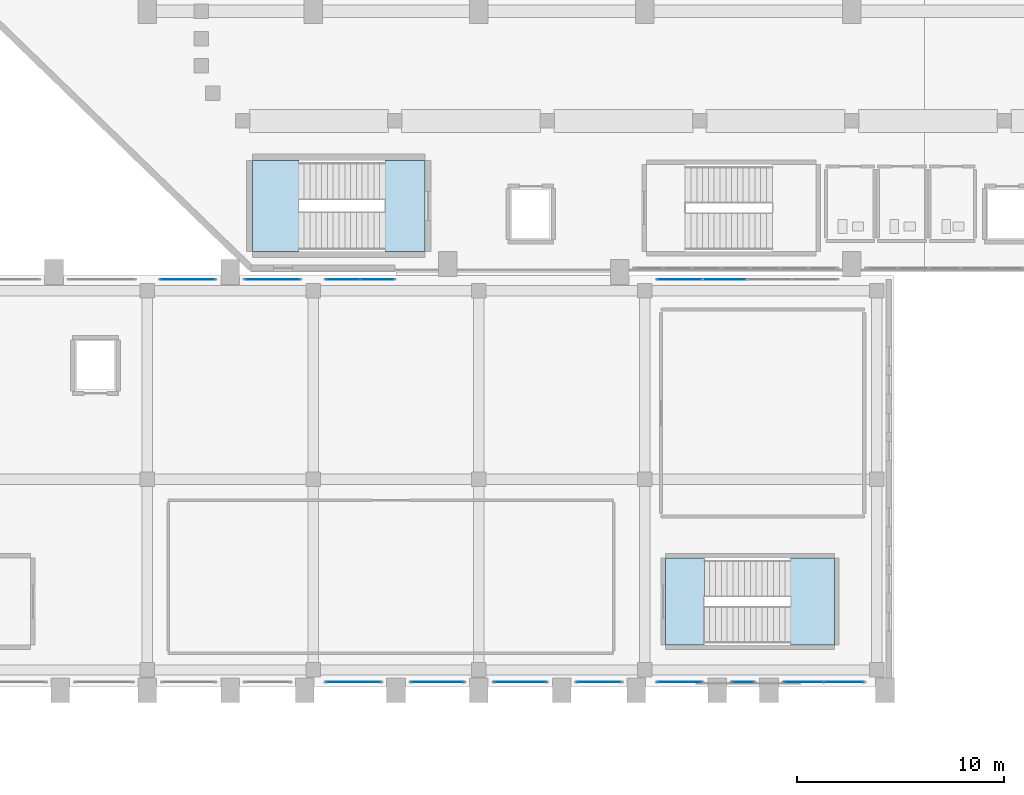
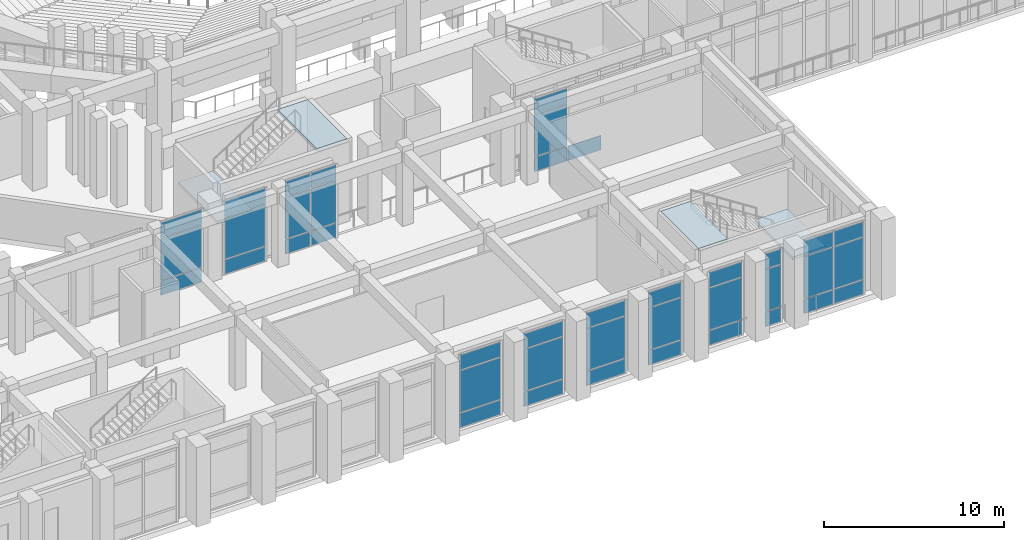
# One storey, part 85 of 159: 40 plates, 4 slabs, 13 elements without a shape of their own.
"""IFC4 building model written with IfcOpenShell, lengths in metres."""

import ifcopenshell
import ifcopenshell.guid

model = None  # the IFC model being written
_history = None  # IfcOwnerHistory: only IFC2X3 demands one
_inside = {}  # id of a spatial element -> (the spatial element, [elements in it])
_under = {}  # id of a project, library or spatial element -> (it, [spatial elements below it])
_declared = {}  # id of a project -> (the project, [libraries it declares])
_typed = {}  # id of a type object -> (the type object, [elements of that type])
_made_of = {}  # id of a material, layer set ... -> (it, [elements and type objects made of it])


def new_model(schema):
    """Start an empty IFC model of exactly this schema.

    Asked for "IFC4X3", IfcOpenShell would pick the latest addendum, in which some entities
    have other attributes; the version numbers below select the first issue.
    IFC2X3 requires an IfcOwnerHistory on every rooted entity: one is made here for all.
    """
    global model, _history
    if schema == "IFC4X3":
        model = ifcopenshell.file(schema_version=(4, 3, 0, 0))
    else:
        model = ifcopenshell.file(schema=schema)
    _inside.clear()
    _under.clear()
    _declared.clear()
    _typed.clear()
    _made_of.clear()
    _history = None
    if model.schema == "IFC2X3":
        org = make("IfcOrganization", Name="unknown")
        user = make(
            "IfcPersonAndOrganization",
            ThePerson=make("IfcPerson", FamilyName="unknown"),
            TheOrganization=org,
        )
        app = make(
            "IfcApplication",
            ApplicationDeveloper=org,
            Version="unknown",
            ApplicationFullName="unknown",
            ApplicationIdentifier="unknown",
        )
        _history = make(
            "IfcOwnerHistory",
            OwningUser=user,
            OwningApplication=app,
            ChangeAction="ADDED",
            CreationDate=0,
        )
    return model


def make(cls, **values):
    """One entity of the class cls with the attributes given. An attribute that is None is left unset."""
    return model.create_entity(
        cls, **{name: value for name, value in values.items() if value is not None}
    )


def rooted(cls, **values):
    """An entity with a GlobalId (a new one), such as an element, a storey or a relation."""
    return make(cls, GlobalId=ifcopenshell.guid.new(), OwnerHistory=_history, **values)


def si_unit(unit_type, name, prefix=None):
    """IfcSIUnit, for example si_unit("LENGTHUNIT", "METRE", prefix="MILLI")."""
    return make("IfcSIUnit", UnitType=unit_type, Prefix=prefix, Name=name)


def derived_unit(unit_type, elements):
    """IfcDerivedUnit: a product of units, each with its exponent."""
    return make(
        "IfcDerivedUnit",
        Elements=[
            make("IfcDerivedUnitElement", Unit=unit, Exponent=power)
            for unit, power in elements
        ],
        UnitType=unit_type,
    )


def assignment(units):
    """IfcUnitAssignment: the units of a project."""
    return None if units is None else make("IfcUnitAssignment", Units=units)


def point(xyz):
    """IfcCartesianPoint."""
    return None if xyz is None else make("IfcCartesianPoint", Coordinates=xyz)


def direction(xyz):
    """IfcDirection."""
    return None if xyz is None else make("IfcDirection", DirectionRatios=xyz)


def frame(location, z_axis=None, x_axis=None):
    """IfcAxis2Placement3D, a coordinate frame: its origin and axes. An axis left out is left unset."""
    return make(
        "IfcAxis2Placement3D",
        Location=point(location),
        Axis=direction(z_axis),
        RefDirection=direction(x_axis),
    )


def frame_2d(location, x_axis=None):
    """IfcAxis2Placement2D, a coordinate frame in the plane: its origin and x axis."""
    return make(
        "IfcAxis2Placement2D", Location=point(location), RefDirection=direction(x_axis)
    )


def origin():
    """The frame at (0, 0, 0) with its axes left unset."""
    return frame((0.0, 0.0, 0.0))


def origin_2d():
    """The frame at (0, 0) in the plane with its x axis left unset."""
    return frame_2d((0.0, 0.0))


def place(relative_to, where):
    """IfcLocalPlacement: puts the frame where relative to a parent placement (None: the world)."""
    return make(
        "IfcLocalPlacement", PlacementRelTo=relative_to, RelativePlacement=where
    )


def context(
    kind, dimensions, precision=None, world=None, true_north=None, identifier=None
):
    """IfcGeometricRepresentationContext, for example the 3D "Model" context."""
    return make(
        "IfcGeometricRepresentationContext",
        ContextIdentifier=identifier,
        ContextType=kind,
        CoordinateSpaceDimension=dimensions,
        Precision=precision,
        WorldCoordinateSystem=world,
        TrueNorth=true_north,
    )


def subcontext(parent, identifier, kind, view, scale=None):
    """IfcGeometricRepresentationSubContext, for example "Body" below "Model"."""
    return make(
        "IfcGeometricRepresentationSubContext",
        ContextIdentifier=identifier,
        ContextType=kind,
        ParentContext=parent,
        TargetScale=scale,
        TargetView=view,
    )


def project(units=None, contexts=None):
    """IfcProject with its units and contexts."""
    return rooted(
        "IfcProject",
        Name="project",
        RepresentationContexts=contexts,
        UnitsInContext=assignment(units),
    )


def spatial(cls, under=None, at=None, **own):
    """A site, building, storey or space (cls), placed at a placement, below another one or the project."""
    s = rooted(cls, ObjectPlacement=at, **own)
    if under is not None:
        _under.setdefault(under.id(), (under, []))[1].append(s)
    return s


def polyline(points):
    """IfcPolyline through the points."""
    return make("IfcPolyline", Points=[point(p) for p in points])


def profile(cls, at=None, kind="AREA", **sizes):
    """A parametric profile (cls). Its sizes go by their IFC names, for example OverallWidth=200.0."""
    return make(cls, ProfileType=kind, Position=at, **sizes)


def rectangle(**sizes):
    """IfcRectangleProfileDef."""
    return profile("IfcRectangleProfileDef", **sizes)


def outline(outer, holes=None, kind="AREA"):
    """IfcArbitraryClosedProfileDef: a profile drawn as a closed curve; with holes, ...WithVoids."""
    if holes is None:
        return make("IfcArbitraryClosedProfileDef", ProfileType=kind, OuterCurve=outer)
    return make(
        "IfcArbitraryProfileDefWithVoids",
        ProfileType=kind,
        OuterCurve=outer,
        InnerCurves=holes,
    )


def extrude(swept, where, along, depth):
    """IfcExtrudedAreaSolid: the profile swept, set in the frame where, extruded along a direction by depth."""
    return make(
        "IfcExtrudedAreaSolid",
        SweptArea=swept,
        Position=where,
        ExtrudedDirection=direction(along),
        Depth=depth,
    )


def shape(context_of_items, identifier, shape_type, items):
    """IfcShapeRepresentation: the items that make up one representation, for example the "Body"."""
    return make(
        "IfcShapeRepresentation",
        ContextOfItems=context_of_items,
        RepresentationIdentifier=identifier,
        RepresentationType=shape_type,
        Items=items,
    )


def material(Name=None, Category=None):
    """IfcMaterial."""
    return make("IfcMaterial", Name=Name, Category=Category)


def layer(
    of_material, thickness, ventilated=None, Name=None, Category=None, Priority=None
):
    """IfcMaterialLayer: one layer of a wall or slab, of a material (None: an air gap)."""
    return make(
        "IfcMaterialLayer",
        Material=of_material,
        LayerThickness=thickness,
        IsVentilated=ventilated,
        Name=Name,
        Category=Category,
        Priority=Priority,
    )


def layer_set(layers, Name=None):
    """IfcMaterialLayerSet."""
    return make("IfcMaterialLayerSet", MaterialLayers=layers, LayerSetName=Name)


def made_of(thing, what):
    """Note that an element or type object is made of a material, layer set ...; save() writes the relation."""
    if what is not None:
        _made_of.setdefault(what.id(), (what, []))[1].append(thing)
    return thing


def type_object(cls, material=None, **own):
    """A type object (cls), such as IfcWallType, which elements share."""
    return made_of(rooted(cls, **own), material)


def element(
    cls,
    number,
    at=None,
    inside=None,
    cuts=None,
    type_object=None,
    material=None,
    context=None,
    identifier="Body",
    shape_type=None,
    held_by="IfcProductDefinitionShape",
    body=None,
    shapes=None,
    **own,
):
    """One element of the class cls, such as IfcWall. Its Tag is "e" and its number.

    at: its placement. inside: the storey or other place that contains it. cuts: it is an
    opening in that element (IfcRelVoidsElement). A single representation is given by context,
    identifier, shape_type and body (its items); several are given by shapes. held_by: the class
    of the entity that holds the representations. save() writes the other relations.
    """
    e = rooted(cls, Tag="e%d" % number, ObjectPlacement=at, **own)
    if body is not None:
        shapes = [shape(context, identifier, shape_type, body)]
    if shapes is not None:
        e.Representation = make(held_by, Representations=shapes)
    if inside is not None:
        _inside.setdefault(inside.id(), (inside, []))[1].append(e)
    if cuts is not None:
        rooted(
            "IfcRelVoidsElement", RelatingBuildingElement=cuts, RelatedOpeningElement=e
        )
    if type_object is not None:
        _typed.setdefault(type_object.id(), (type_object, []))[1].append(e)
    return made_of(e, material)


def aggregate(whole, parts):
    """IfcRelAggregates: a whole, such as a stair, and the parts it consists of."""
    return rooted("IfcRelAggregates", RelatingObject=whole, RelatedObjects=parts)


def save(model, path):
    """Write the relations noted so far, then the file.

    IfcRelAggregates (storeys below a building ...), IfcRelContainedInSpatialStructure (elements
    in a storey), IfcRelDefinesByType, IfcRelAssociatesMaterial and IfcRelDeclares: one each for
    every whole, place, type object, material and project.
    """
    for whole, parts in _under.values():
        aggregate(whole, parts)
    for where, things in _inside.values():
        rooted(
            "IfcRelContainedInSpatialStructure",
            RelatedElements=things,
            RelatingStructure=where,
        )
    for kind, things in _typed.values():
        rooted("IfcRelDefinesByType", RelatedObjects=things, RelatingType=kind)
    for what, things in _made_of.values():
        rooted("IfcRelAssociatesMaterial", RelatedObjects=things, RelatingMaterial=what)
    for by, libraries in _declared.values():
        rooted("IfcRelDeclares", RelatingContext=by, RelatedDefinitions=libraries)
    model.write(path)


model = new_model("IFC4")

# Units and contexts
model_context = context("Model", 3, precision=1e-05, world=origin(), true_north=direction((0.0, 1.0)))
body_context = subcontext(model_context, "Body", "Model", "MODEL_VIEW")
ifc_project = project(units=[si_unit("LENGTHUNIT", "METRE"), si_unit("AREAUNIT", "SQUARE_METRE"), si_unit("VOLUMEUNIT", "CUBIC_METRE"), si_unit("PLANEANGLEUNIT", "RADIAN"), si_unit("MASSUNIT", "GRAM", prefix="KILO"), derived_unit("THERMALTRANSMITTANCEUNIT", [(si_unit("MASSUNIT", "GRAM", prefix="KILO"), 1), (si_unit("TIMEUNIT", "SECOND"), -3), (si_unit("THERMODYNAMICTEMPERATUREUNIT", "KELVIN"), -1)])], contexts=[model_context])

# Site, building, storey
site_placement = place(None, origin())
site = spatial("IfcSite", under=ifc_project, at=site_placement, CompositionType="ELEMENT")
building_placement = place(site_placement, origin())
building = spatial("IfcBuilding", under=site, at=building_placement, Name="Valcora Ridge Arena", CompositionType="ELEMENT")
storey_placement = place(building_placement, frame((0.0, 0.0, 6.0)))
storey = spatial("IfcBuildingStorey", under=building, at=storey_placement, Name="L01", CompositionType="ELEMENT", Elevation=6.0)

# Stair, slabs
ifc_material_1 = material(Name="Concrete C40/50", Category="concrete")
stair_type_1 = type_object("IfcStairType", Name="TY-STAIR-ES06-54", PredefinedType="HALF_TURN_STAIR", material=ifc_material_1)
stair_1_placement = place(storey_placement, origin())
stair_1 = element("IfcStair", 1, at=stair_1_placement, inside=storey, type_object=stair_type_1, Name="ES06-54 STR-ES-0022", PredefinedType="HALF_TURN_STAIR")
ifc_layer_1 = layer(ifc_material_1, 0.199951171875, Name="Concrete C40/50")
ifc_layer_set_1 = layer_set([ifc_layer_1], Name="Concrete C40/50")
slab_type_1 = type_object("IfcSlabType", Name="TY-LAND-ES06-54", PredefinedType="LANDING", material=ifc_layer_set_1)
slab_1_placement = place(storey_placement, frame((0.0, 0.0, 2.5)))
slab_1 = element("IfcSlab", 2, at=slab_1_placement, type_object=slab_type_1, Name="ES06-54 landing 1", PredefinedType="LANDING", context=body_context, shape_type="SweptSolid", body=[
    extrude(outline(polyline([(55.0400390625, 2.001953125), (57.157958984375, 2.001953125), (57.157958984375, 6.197998046875), (55.0400390625, 6.197998046875), (55.0400390625, 2.001953125)])), origin(), (0.0, 0.0, 1.0), 0.199951171875),
])
slab_2_placement = place(storey_placement, frame((0.0, 0.0, 5.199951171875)))
slab_2 = element("IfcSlab", 3, at=slab_2_placement, type_object=slab_type_1, Name="ES06-54 landing 2", PredefinedType="LANDING", context=body_context, shape_type="SweptSolid", body=[
    extrude(outline(polyline([(49.001953125, 2.001953125), (50.8798828125, 2.001953125), (50.8798828125, 6.197998046875), (49.001953125, 6.197998046875), (49.001953125, 2.001953125)])), origin(), (0.0, 0.0, 1.0), 0.199951171875),
])
aggregate(stair_1, [slab_1, slab_2])

stair_type_2 = type_object("IfcStairType", Name="TY-STAIR-ST01-54", PredefinedType="HALF_TURN_STAIR", material=ifc_material_1)
stair_2_placement = place(storey_placement, origin())
stair_2 = element("IfcStair", 4, at=stair_2_placement, inside=storey, type_object=stair_type_2, Name="ST01-54 STR-CR-0003", PredefinedType="HALF_TURN_STAIR")
ifc_layer_2 = layer(ifc_material_1, 0.199951171875, Name="Concrete C40/50")
ifc_layer_set_2 = layer_set([ifc_layer_2], Name="Concrete C40/50")
slab_type_2 = type_object("IfcSlabType", Name="TY-LAND-ST01-54", PredefinedType="LANDING", material=ifc_layer_set_2)
slab_3_placement = place(storey_placement, frame((0.0, 0.0, 2.5)))
slab_3 = element("IfcSlab", 5, at=slab_3_placement, type_object=slab_type_2, Name="ST01-54 landing 1", PredefinedType="LANDING", context=body_context, shape_type="SweptSolid", body=[
    extrude(outline(polyline([(29.08203125, 21.001953125), (31.31005859375, 21.001953125), (31.31005859375, 25.39794921875), (29.08203125, 25.39794921875), (29.08203125, 21.001953125)])), origin(), (0.0, 0.0, 1.0), 0.199951171875),
])
slab_4_placement = place(storey_placement, frame((0.0, 0.0, 5.199951171875)))
slab_4 = element("IfcSlab", 6, at=slab_4_placement, type_object=slab_type_2, Name="ST01-54 landing 2", PredefinedType="LANDING", context=body_context, shape_type="SweptSolid", body=[
    extrude(outline(polyline([(35.469970703125, 21.001953125), (37.39794921875, 21.001953125), (37.39794921875, 25.39794921875), (35.469970703125, 25.39794921875), (35.469970703125, 21.001953125)])), origin(), (0.0, 0.0, 1.0), 0.199951171875),
])
aggregate(stair_2, [slab_3, slab_4])

# Curtain wall, plates
ifc_material_2 = material(Name="Anodised dark bronze architectural aluminium 6063-T6", Category="aluminium")
ifc_layer_3 = layer(ifc_material_2, 0.14990234375, Name="Anodised dark bronze architectural aluminium 6063-T6")
ifc_layer_set_3 = layer_set([ifc_layer_3], Name="Anodised dark bronze architectural aluminium 6063-T6")
curtain_wall_type_1 = type_object("IfcCurtainWallType", Name="TY-CURTAINWALL-CW-V4-CLUB-011X50", PredefinedType="NOTDEFINED", material=ifc_layer_set_3)
curtain_wall_1_placement = place(storey_placement, origin())
curtain_wall_1 = element("IfcCurtainWall", 7, at=curtain_wall_1_placement, inside=storey, type_object=curtain_wall_type_1, Name="CW-V4-CLUB-011X50 CW-0214", PredefinedType="NOTDEFINED")
ifc_material_3 = material(Name="Low-iron solar-control double glazing SHGC 0.28", Category="glass")
ifc_layer_4 = layer(ifc_material_3, 0.028076171875, Name="Low-iron solar-control double glazing SHGC 0.28")
ifc_layer_set_4 = layer_set([ifc_layer_4], Name="Low-iron solar-control double glazing SHGC 0.28")
plate_type_1 = type_object("IfcPlateType", Name="TY-PLT-CWP-1020X0975", PredefinedType="CURTAIN_PANEL", material=ifc_layer_set_4)
plate_1_placement = place(storey_placement, frame((52.75, 0.219970703125, 0.050048828125), z_axis=(0.0, 0.0, 1.0), x_axis=(1.0, 0.0, 0.0)))
plate_1 = element("IfcPlate", 8, at=plate_1_placement, type_object=plate_type_1, Name="CW-0214/P00-00", PredefinedType="CURTAIN_PANEL", context=body_context, shape_type="SweptSolid", body=[
    extrude(rectangle(XDim=1.02001953125, YDim=0.028076171875, at=origin_2d()), origin(), (0.0, 0.0, 1.0), 0.97509765625),
])
ifc_layer_5 = layer(ifc_material_3, 0.028076171875, Name="Low-iron solar-control double glazing SHGC 0.28")
ifc_layer_set_5 = layer_set([ifc_layer_5], Name="Low-iron solar-control double glazing SHGC 0.28")
plate_type_2 = type_object("IfcPlateType", Name="TY-PLT-CWP-1020X1025", PredefinedType="CURTAIN_PANEL", material=ifc_layer_set_5)
plate_2_placement = place(storey_placement, frame((52.75, 0.219970703125, 3.965087890625), z_axis=(0.0, 0.0, 1.0), x_axis=(1.0, 0.0, 0.0)))
plate_2 = element("IfcPlate", 9, at=plate_2_placement, type_object=plate_type_2, Name="CW-0214/P00-02", PredefinedType="CURTAIN_PANEL", context=body_context, shape_type="SweptSolid", body=[
    extrude(rectangle(XDim=1.02001953125, YDim=0.028076171875, at=origin_2d()), origin(), (0.0, 0.0, 1.0), 1.02490234375),
])
ifc_layer_6 = layer(ifc_material_3, 0.028076171875, Name="Low-iron solar-control double glazing SHGC 0.28")
ifc_layer_set_6 = layer_set([ifc_layer_6], Name="Low-iron solar-control double glazing SHGC 0.28")
plate_type_3 = type_object("IfcPlateType", Name="TY-PLT-CWP-1020X2840", PredefinedType="CURTAIN_PANEL", material=ifc_layer_set_6)
plate_3_placement = place(storey_placement, frame((52.75, 0.219970703125, 1.0751953125), z_axis=(0.0, 0.0, 1.0), x_axis=(1.0, 0.0, 0.0)))
plate_3 = element("IfcPlate", 10, at=plate_3_placement, type_object=plate_type_3, Name="CW-0214/P00-01", PredefinedType="CURTAIN_PANEL", context=body_context, shape_type="SweptSolid", body=[
    extrude(rectangle(XDim=1.02001953125, YDim=0.028076171875, at=origin_2d()), origin(), (0.0, 0.0, 1.0), 2.840087890625),
])
aggregate(curtain_wall_1, [plate_1, plate_3, plate_2])

ifc_layer_7 = layer(ifc_material_2, 0.14990234375, Name="Anodised dark bronze architectural aluminium 6063-T6")
ifc_layer_set_7 = layer_set([ifc_layer_7], Name="Anodised dark bronze architectural aluminium 6063-T6")
curtain_wall_type_2 = type_object("IfcCurtainWallType", Name="TY-CURTAINWALL-CW-V4-CLUB-034X50", PredefinedType="NOTDEFINED", material=ifc_layer_set_7)
curtain_wall_2_placement = place(storey_placement, origin())
curtain_wall_2 = element("IfcCurtainWall", 11, at=curtain_wall_2_placement, inside=storey, type_object=curtain_wall_type_2, Name="CW-V4-CLUB-034X50 CW-0220", PredefinedType="NOTDEFINED")
ifc_layer_8 = layer(ifc_material_3, 0.028076171875, Name="Low-iron solar-control double glazing SHGC 0.28")
ifc_layer_set_8 = layer_set([ifc_layer_8], Name="Low-iron solar-control double glazing SHGC 0.28")
plate_type_4 = type_object("IfcPlateType", Name="TY-PLT-CWP-1605X0975", PredefinedType="CURTAIN_PANEL", material=ifc_layer_set_8)
plate_4_placement = place(storey_placement, frame((33.4423828125, 19.64990234375, 0.050048828125), z_axis=(0.0, 0.0, 1.0), x_axis=(1.0, 0.0, 0.0)))
plate_4 = element("IfcPlate", 12, at=plate_4_placement, type_object=plate_type_4, Name="CW-0220/P00-00", PredefinedType="CURTAIN_PANEL", context=body_context, shape_type="SweptSolid", body=[
    extrude(rectangle(XDim=1.60498046875, YDim=0.028076171875, at=origin_2d()), origin(), (0.0, 0.0, 1.0), 0.97509765625),
])
plate_5_placement = place(storey_placement, frame((35.097412109375, 19.64990234375, 0.050048828125), z_axis=(0.0, 0.0, 1.0), x_axis=(1.0, 0.0, 0.0)))
plate_5 = element("IfcPlate", 13, at=plate_5_placement, type_object=plate_type_4, Name="CW-0220/P01-00", PredefinedType="CURTAIN_PANEL", context=body_context, shape_type="SweptSolid", body=[
    extrude(rectangle(XDim=1.60498046875, YDim=0.028076171875, at=origin_2d()), origin(), (0.0, 0.0, 1.0), 0.97509765625),
])
ifc_layer_9 = layer(ifc_material_3, 0.028076171875, Name="Low-iron solar-control double glazing SHGC 0.28")
ifc_layer_set_9 = layer_set([ifc_layer_9], Name="Low-iron solar-control double glazing SHGC 0.28")
plate_type_5 = type_object("IfcPlateType", Name="TY-PLT-CWP-1605X1025", PredefinedType="CURTAIN_PANEL", material=ifc_layer_set_9)
plate_6_placement = place(storey_placement, frame((33.4423828125, 19.64990234375, 3.965087890625), z_axis=(0.0, 0.0, 1.0), x_axis=(1.0, 0.0, 0.0)))
plate_6 = element("IfcPlate", 14, at=plate_6_placement, type_object=plate_type_5, Name="CW-0220/P00-02", PredefinedType="CURTAIN_PANEL", context=body_context, shape_type="SweptSolid", body=[
    extrude(rectangle(XDim=1.60498046875, YDim=0.028076171875, at=origin_2d()), origin(), (0.0, 0.0, 1.0), 1.02490234375),
])
plate_7_placement = place(storey_placement, frame((35.097412109375, 19.64990234375, 3.965087890625), z_axis=(0.0, 0.0, 1.0), x_axis=(1.0, 0.0, 0.0)))
plate_7 = element("IfcPlate", 15, at=plate_7_placement, type_object=plate_type_5, Name="CW-0220/P01-02", PredefinedType="CURTAIN_PANEL", context=body_context, shape_type="SweptSolid", body=[
    extrude(rectangle(XDim=1.60498046875, YDim=0.028076171875, at=origin_2d()), origin(), (0.0, 0.0, 1.0), 1.02490234375),
])
ifc_layer_10 = layer(ifc_material_3, 0.028076171875, Name="Low-iron solar-control double glazing SHGC 0.28")
ifc_layer_set_10 = layer_set([ifc_layer_10], Name="Low-iron solar-control double glazing SHGC 0.28")
plate_type_6 = type_object("IfcPlateType", Name="TY-PLT-CWP-1605X2840", PredefinedType="CURTAIN_PANEL", material=ifc_layer_set_10)
plate_8_placement = place(storey_placement, frame((33.4423828125, 19.64990234375, 1.0751953125), z_axis=(0.0, 0.0, 1.0), x_axis=(1.0, 0.0, 0.0)))
plate_8 = element("IfcPlate", 16, at=plate_8_placement, type_object=plate_type_6, Name="CW-0220/P00-01", PredefinedType="CURTAIN_PANEL", context=body_context, shape_type="SweptSolid", body=[
    extrude(rectangle(XDim=1.60498046875, YDim=0.028076171875, at=origin_2d()), origin(), (0.0, 0.0, 1.0), 2.840087890625),
])
plate_9_placement = place(storey_placement, frame((35.097412109375, 19.64990234375, 1.0751953125), z_axis=(0.0, 0.0, 1.0), x_axis=(1.0, 0.0, 0.0)))
plate_9 = element("IfcPlate", 17, at=plate_9_placement, type_object=plate_type_6, Name="CW-0220/P01-01", PredefinedType="CURTAIN_PANEL", context=body_context, shape_type="SweptSolid", body=[
    extrude(rectangle(XDim=1.60498046875, YDim=0.028076171875, at=origin_2d()), origin(), (0.0, 0.0, 1.0), 2.840087890625),
])
aggregate(curtain_wall_2, [plate_4, plate_8, plate_6, plate_5, plate_9, plate_7])

ifc_layer_11 = layer(ifc_material_2, 0.14990234375, Name="Anodised dark bronze architectural aluminium 6063-T6")
ifc_layer_set_11 = layer_set([ifc_layer_11], Name="Anodised dark bronze architectural aluminium 6063-T6")
curtain_wall_type_3 = type_object("IfcCurtainWallType", Name="TY-CURTAINWALL-CW-V4-CLUB-039X50", PredefinedType="NOTDEFINED", material=ifc_layer_set_11)
curtain_wall_3_placement = place(storey_placement, origin())
curtain_wall_3 = element("IfcCurtainWall", 18, at=curtain_wall_3_placement, inside=storey, type_object=curtain_wall_type_3, Name="CW-V4-CLUB-039X50 CW-0215", PredefinedType="NOTDEFINED")
ifc_layer_12 = layer(ifc_material_3, 0.028076171875, Name="Low-iron solar-control double glazing SHGC 0.28")
ifc_layer_set_12 = layer_set([ifc_layer_12], Name="Low-iron solar-control double glazing SHGC 0.28")
plate_type_7 = type_object("IfcPlateType", Name="TY-PLT-CWP-1885X0975", PredefinedType="CURTAIN_PANEL", material=ifc_layer_set_12)
plate_10_placement = place(storey_placement, frame((55.6826171875, 0.219970703125, 0.050048828125), z_axis=(0.0, 0.0, 1.0), x_axis=(1.0, 0.0, 0.0)))
plate_10 = element("IfcPlate", 19, at=plate_10_placement, type_object=plate_type_7, Name="CW-0215/P00-00", PredefinedType="CURTAIN_PANEL", context=body_context, shape_type="SweptSolid", body=[
    extrude(rectangle(XDim=1.885009765625, YDim=0.028076171875, at=origin_2d()), origin(), (0.0, 0.0, 1.0), 0.97509765625),
])
plate_11_placement = place(storey_placement, frame((57.617431640625, 0.219970703125, 0.050048828125), z_axis=(0.0, 0.0, 1.0), x_axis=(1.0, 0.0, 0.0)))
plate_11 = element("IfcPlate", 20, at=plate_11_placement, type_object=plate_type_7, Name="CW-0215/P01-00", PredefinedType="CURTAIN_PANEL", context=body_context, shape_type="SweptSolid", body=[
    extrude(rectangle(XDim=1.885009765625, YDim=0.028076171875, at=origin_2d()), origin(), (0.0, 0.0, 1.0), 0.97509765625),
])
ifc_layer_13 = layer(ifc_material_3, 0.028076171875, Name="Low-iron solar-control double glazing SHGC 0.28")
ifc_layer_set_13 = layer_set([ifc_layer_13], Name="Low-iron solar-control double glazing SHGC 0.28")
plate_type_8 = type_object("IfcPlateType", Name="TY-PLT-CWP-1885X1025", PredefinedType="CURTAIN_PANEL", material=ifc_layer_set_13)
plate_12_placement = place(storey_placement, frame((55.6826171875, 0.219970703125, 3.965087890625), z_axis=(0.0, 0.0, 1.0), x_axis=(1.0, 0.0, 0.0)))
plate_12 = element("IfcPlate", 21, at=plate_12_placement, type_object=plate_type_8, Name="CW-0215/P00-02", PredefinedType="CURTAIN_PANEL", context=body_context, shape_type="SweptSolid", body=[
    extrude(rectangle(XDim=1.885009765625, YDim=0.028076171875, at=origin_2d()), origin(), (0.0, 0.0, 1.0), 1.02490234375),
])
plate_13_placement = place(storey_placement, frame((57.617431640625, 0.219970703125, 3.965087890625), z_axis=(0.0, 0.0, 1.0), x_axis=(1.0, 0.0, 0.0)))
plate_13 = element("IfcPlate", 22, at=plate_13_placement, type_object=plate_type_8, Name="CW-0215/P01-02", PredefinedType="CURTAIN_PANEL", context=body_context, shape_type="SweptSolid", body=[
    extrude(rectangle(XDim=1.885009765625, YDim=0.028076171875, at=origin_2d()), origin(), (0.0, 0.0, 1.0), 1.02490234375),
])
ifc_layer_14 = layer(ifc_material_3, 0.028076171875, Name="Low-iron solar-control double glazing SHGC 0.28")
ifc_layer_set_14 = layer_set([ifc_layer_14], Name="Low-iron solar-control double glazing SHGC 0.28")
plate_type_9 = type_object("IfcPlateType", Name="TY-PLT-CWP-1885X2840", PredefinedType="CURTAIN_PANEL", material=ifc_layer_set_14)
plate_14_placement = place(storey_placement, frame((55.6826171875, 0.219970703125, 1.0751953125), z_axis=(0.0, 0.0, 1.0), x_axis=(1.0, 0.0, 0.0)))
plate_14 = element("IfcPlate", 23, at=plate_14_placement, type_object=plate_type_9, Name="CW-0215/P00-01", PredefinedType="CURTAIN_PANEL", context=body_context, shape_type="SweptSolid", body=[
    extrude(rectangle(XDim=1.885009765625, YDim=0.028076171875, at=origin_2d()), origin(), (0.0, 0.0, 1.0), 2.840087890625),
])
plate_15_placement = place(storey_placement, frame((57.617431640625, 0.219970703125, 1.0751953125), z_axis=(0.0, 0.0, 1.0), x_axis=(1.0, 0.0, 0.0)))
plate_15 = element("IfcPlate", 24, at=plate_15_placement, type_object=plate_type_9, Name="CW-0215/P01-01", PredefinedType="CURTAIN_PANEL", context=body_context, shape_type="SweptSolid", body=[
    extrude(rectangle(XDim=1.885009765625, YDim=0.028076171875, at=origin_2d()), origin(), (0.0, 0.0, 1.0), 2.840087890625),
])
aggregate(curtain_wall_3, [plate_10, plate_14, plate_12, plate_11, plate_15, plate_13])

ifc_layer_15 = layer(ifc_material_2, 0.14990234375, Name="Anodised dark bronze architectural aluminium 6063-T6")
ifc_layer_set_15 = layer_set([ifc_layer_15], Name="Anodised dark bronze architectural aluminium 6063-T6")
curtain_wall_type_4 = type_object("IfcCurtainWallType", Name="TY-CURTAINWALL-CW-V4-CLUB-087X50", PredefinedType="NOTDEFINED", material=ifc_layer_set_15)
curtain_wall_4_placement = place(storey_placement, origin())
curtain_wall_4 = element("IfcCurtainWall", 25, at=curtain_wall_4_placement, inside=storey, type_object=curtain_wall_type_4, Name="CW-V4-CLUB-087X50 CW-0221", PredefinedType="NOTDEFINED")
ifc_layer_16 = layer(ifc_material_3, 0.028076171875, Name="Low-iron solar-control double glazing SHGC 0.28")
ifc_layer_set_16 = layer_set([ifc_layer_16], Name="Low-iron solar-control double glazing SHGC 0.28")
plate_type_10 = type_object("IfcPlateType", Name="TY-PLT-CWP-2105X0975", PredefinedType="CURTAIN_PANEL", material=ifc_layer_set_16)
plate_16_placement = place(storey_placement, frame((49.6923828125, 19.64990234375, 0.050048828125), z_axis=(0.0, 0.0, 1.0), x_axis=(1.0, 0.0, 0.0)))
plate_16 = element("IfcPlate", 26, at=plate_16_placement, type_object=plate_type_10, Name="CW-0221/P00-00", PredefinedType="CURTAIN_PANEL", context=body_context, shape_type="SweptSolid", body=[
    extrude(rectangle(XDim=2.10498046875, YDim=0.028076171875, at=origin_2d()), origin(), (0.0, 0.0, 1.0), 0.97509765625),
])
ifc_layer_17 = layer(ifc_material_3, 0.028076171875, Name="Low-iron solar-control double glazing SHGC 0.28")
ifc_layer_set_17 = layer_set([ifc_layer_17], Name="Low-iron solar-control double glazing SHGC 0.28")
plate_type_11 = type_object("IfcPlateType", Name="TY-PLT-CWP-2105X1025", PredefinedType="CURTAIN_PANEL", material=ifc_layer_set_17)
plate_17_placement = place(storey_placement, frame((49.6923828125, 19.64990234375, 3.965087890625), z_axis=(0.0, 0.0, 1.0), x_axis=(1.0, 0.0, 0.0)))
plate_17 = element("IfcPlate", 27, at=plate_17_placement, type_object=plate_type_11, Name="CW-0221/P00-02", PredefinedType="CURTAIN_PANEL", context=body_context, shape_type="SweptSolid", body=[
    extrude(rectangle(XDim=2.10498046875, YDim=0.028076171875, at=origin_2d()), origin(), (0.0, 0.0, 1.0), 1.02490234375),
])
ifc_layer_18 = layer(ifc_material_3, 0.028076171875, Name="Low-iron solar-control double glazing SHGC 0.28")
ifc_layer_set_18 = layer_set([ifc_layer_18], Name="Low-iron solar-control double glazing SHGC 0.28")
plate_type_12 = type_object("IfcPlateType", Name="TY-PLT-CWP-2105X2840", PredefinedType="CURTAIN_PANEL", material=ifc_layer_set_18)
plate_18_placement = place(storey_placement, frame((49.6923828125, 19.64990234375, 1.0751953125), z_axis=(0.0, 0.0, 1.0), x_axis=(1.0, 0.0, 0.0)))
plate_18 = element("IfcPlate", 28, at=plate_18_placement, type_object=plate_type_12, Name="CW-0221/P00-01", PredefinedType="CURTAIN_PANEL", context=body_context, shape_type="SweptSolid", body=[
    extrude(rectangle(XDim=2.10498046875, YDim=0.028076171875, at=origin_2d()), origin(), (0.0, 0.0, 1.0), 2.840087890625),
])

# Curtain wall, plate
ifc_layer_19 = layer(ifc_material_2, 0.14990234375, Name="Anodised dark bronze architectural aluminium 6063-T6")
ifc_layer_set_19 = layer_set([ifc_layer_19], Name="Anodised dark bronze architectural aluminium 6063-T6")
curtain_wall_type_5 = type_object("IfcCurtainWallType", Name="TY-CURTAINWALL-CW-V4-CLUB-022X50", PredefinedType="NOTDEFINED", material=ifc_layer_set_19)
curtain_wall_5_placement = place(storey_placement, origin())
curtain_wall_5 = element("IfcCurtainWall", 29, at=curtain_wall_5_placement, inside=storey, type_object=curtain_wall_type_5, Name="CW-V4-CLUB-022X50 CW-0212", PredefinedType="NOTDEFINED")
ifc_layer_20 = layer(ifc_material_3, 0.028076171875, Name="Low-iron solar-control double glazing SHGC 0.28")
ifc_layer_set_20 = layer_set([ifc_layer_20], Name="Low-iron solar-control double glazing SHGC 0.28")
plate_type_13 = type_object("IfcPlateType", Name="TY-PLT-CWP-2120X0975", PredefinedType="CURTAIN_PANEL", material=ifc_layer_set_20)
plate_19_placement = place(storey_placement, frame((45.800048828125, 0.219970703125, 0.050048828125), z_axis=(0.0, 0.0, 1.0), x_axis=(1.0, 0.0, 0.0)))
plate_19 = element("IfcPlate", 30, at=plate_19_placement, type_object=plate_type_13, Name="CW-0212/P00-00", PredefinedType="CURTAIN_PANEL", context=body_context, shape_type="SweptSolid", body=[
    extrude(rectangle(XDim=2.1201171875, YDim=0.028076171875, at=origin_2d()), origin(), (0.0, 0.0, 1.0), 0.97509765625),
])

curtain_wall_6_placement = place(storey_placement, origin())
curtain_wall_6 = element("IfcCurtainWall", 31, at=curtain_wall_6_placement, inside=storey, type_object=curtain_wall_type_5, Name="CW-V4-CLUB-022X50 CW-0213", PredefinedType="NOTDEFINED")
plate_20_placement = place(storey_placement, frame((49.699951171875, 0.219970703125, 0.050048828125), z_axis=(0.0, 0.0, 1.0), x_axis=(1.0, 0.0, 0.0)))
plate_20 = element("IfcPlate", 32, at=plate_20_placement, type_object=plate_type_13, Name="CW-0213/P00-00", PredefinedType="CURTAIN_PANEL", context=body_context, shape_type="SweptSolid", body=[
    extrude(rectangle(XDim=2.1201171875, YDim=0.028076171875, at=origin_2d()), origin(), (0.0, 0.0, 1.0), 0.97509765625),
])

# Plate
ifc_layer_21 = layer(ifc_material_3, 0.028076171875, Name="Low-iron solar-control double glazing SHGC 0.28")
ifc_layer_set_21 = layer_set([ifc_layer_21], Name="Low-iron solar-control double glazing SHGC 0.28")
plate_type_14 = type_object("IfcPlateType", Name="TY-PLT-CWP-2120X1025", PredefinedType="CURTAIN_PANEL", material=ifc_layer_set_21)
plate_21_placement = place(storey_placement, frame((45.800048828125, 0.219970703125, 3.965087890625), z_axis=(0.0, 0.0, 1.0), x_axis=(1.0, 0.0, 0.0)))
plate_21 = element("IfcPlate", 33, at=plate_21_placement, type_object=plate_type_14, Name="CW-0212/P00-02", PredefinedType="CURTAIN_PANEL", context=body_context, shape_type="SweptSolid", body=[
    extrude(rectangle(XDim=2.1201171875, YDim=0.028076171875, at=origin_2d()), origin(), (0.0, 0.0, 1.0), 1.02490234375),
])

plate_22_placement = place(storey_placement, frame((49.699951171875, 0.219970703125, 3.965087890625), z_axis=(0.0, 0.0, 1.0), x_axis=(1.0, 0.0, 0.0)))
plate_22 = element("IfcPlate", 34, at=plate_22_placement, type_object=plate_type_14, Name="CW-0213/P00-02", PredefinedType="CURTAIN_PANEL", context=body_context, shape_type="SweptSolid", body=[
    extrude(rectangle(XDim=2.1201171875, YDim=0.028076171875, at=origin_2d()), origin(), (0.0, 0.0, 1.0), 1.02490234375),
])

ifc_layer_22 = layer(ifc_material_3, 0.028076171875, Name="Low-iron solar-control double glazing SHGC 0.28")
ifc_layer_set_22 = layer_set([ifc_layer_22], Name="Low-iron solar-control double glazing SHGC 0.28")
plate_type_15 = type_object("IfcPlateType", Name="TY-PLT-CWP-2120X2840", PredefinedType="CURTAIN_PANEL", material=ifc_layer_set_22)
plate_23_placement = place(storey_placement, frame((45.800048828125, 0.219970703125, 1.0751953125), z_axis=(0.0, 0.0, 1.0), x_axis=(1.0, 0.0, 0.0)))
plate_23 = element("IfcPlate", 35, at=plate_23_placement, type_object=plate_type_15, Name="CW-0212/P00-01", PredefinedType="CURTAIN_PANEL", context=body_context, shape_type="SweptSolid", body=[
    extrude(rectangle(XDim=2.1201171875, YDim=0.028076171875, at=origin_2d()), origin(), (0.0, 0.0, 1.0), 2.840087890625),
])

aggregate(curtain_wall_5, [plate_19, plate_23, plate_21])

plate_24_placement = place(storey_placement, frame((49.699951171875, 0.219970703125, 1.0751953125), z_axis=(0.0, 0.0, 1.0), x_axis=(1.0, 0.0, 0.0)))
plate_24 = element("IfcPlate", 36, at=plate_24_placement, type_object=plate_type_15, Name="CW-0213/P00-01", PredefinedType="CURTAIN_PANEL", context=body_context, shape_type="SweptSolid", body=[
    extrude(rectangle(XDim=2.1201171875, YDim=0.028076171875, at=origin_2d()), origin(), (0.0, 0.0, 1.0), 2.840087890625),
])

aggregate(curtain_wall_6, [plate_20, plate_24, plate_22])

ifc_layer_23 = layer(ifc_material_3, 0.028076171875, Name="Low-iron solar-control double glazing SHGC 0.28")
ifc_layer_set_23 = layer_set([ifc_layer_23], Name="Low-iron solar-control double glazing SHGC 0.28")
plate_type_16 = type_object("IfcPlateType", Name="TY-PLT-CWP-2130X0975", PredefinedType="CURTAIN_PANEL", material=ifc_layer_set_23)
plate_25_placement = place(storey_placement, frame((51.860107421875, 19.64990234375, 0.050048828125), z_axis=(0.0, 0.0, 1.0), x_axis=(1.0, 0.0, 0.0)))
plate_25 = element("IfcPlate", 37, at=plate_25_placement, type_object=plate_type_16, Name="CW-0221/P01-00", PredefinedType="CURTAIN_PANEL", context=body_context, shape_type="SweptSolid", body=[
    extrude(rectangle(XDim=2.1298828125, YDim=0.028076171875, at=origin_2d()), origin(), (0.0, 0.0, 1.0), 0.97509765625),
])

aggregate(curtain_wall_4, [plate_16, plate_18, plate_17, plate_25])

# Curtain wall, plate
ifc_layer_24 = layer(ifc_material_2, 0.14990234375, Name="Anodised dark bronze architectural aluminium 6063-T6")
ifc_layer_set_24 = layer_set([ifc_layer_24], Name="Anodised dark bronze architectural aluminium 6063-T6")
curtain_wall_type_6 = type_object("IfcCurtainWallType", Name="TY-CURTAINWALL-CW-V4-CLUB-026X50", PredefinedType="NOTDEFINED", material=ifc_layer_set_24)
curtain_wall_7_placement = place(storey_placement, origin())
curtain_wall_7 = element("IfcCurtainWall", 38, at=curtain_wall_7_placement, inside=storey, type_object=curtain_wall_type_6, Name="CW-V4-CLUB-026X50 CW-0210", PredefinedType="NOTDEFINED")
ifc_layer_25 = layer(ifc_material_3, 0.028076171875, Name="Low-iron solar-control double glazing SHGC 0.28")
ifc_layer_set_25 = layer_set([ifc_layer_25], Name="Low-iron solar-control double glazing SHGC 0.28")
plate_type_17 = type_object("IfcPlateType", Name="TY-PLT-CWP-2520X0975", PredefinedType="CURTAIN_PANEL", material=ifc_layer_set_25)
plate_26_placement = place(storey_placement, frame((38.0, 0.219970703125, 0.050048828125), z_axis=(0.0, 0.0, 1.0), x_axis=(1.0, 0.0, 0.0)))
plate_26 = element("IfcPlate", 39, at=plate_26_placement, type_object=plate_type_17, Name="CW-0210/P00-00", PredefinedType="CURTAIN_PANEL", context=body_context, shape_type="SweptSolid", body=[
    extrude(rectangle(XDim=2.52001953125, YDim=0.028076171875, at=origin_2d()), origin(), (0.0, 0.0, 1.0), 0.97509765625),
])

curtain_wall_8_placement = place(storey_placement, origin())
curtain_wall_8 = element("IfcCurtainWall", 40, at=curtain_wall_8_placement, inside=storey, type_object=curtain_wall_type_6, Name="CW-V4-CLUB-026X50 CW-0211", PredefinedType="NOTDEFINED")
plate_27_placement = place(storey_placement, frame((42.0, 0.219970703125, 0.050048828125), z_axis=(0.0, 0.0, 1.0), x_axis=(1.0, 0.0, 0.0)))
plate_27 = element("IfcPlate", 41, at=plate_27_placement, type_object=plate_type_17, Name="CW-0211/P00-00", PredefinedType="CURTAIN_PANEL", context=body_context, shape_type="SweptSolid", body=[
    extrude(rectangle(XDim=2.52001953125, YDim=0.028076171875, at=origin_2d()), origin(), (0.0, 0.0, 1.0), 0.97509765625),
])

# Plate
ifc_layer_26 = layer(ifc_material_3, 0.028076171875, Name="Low-iron solar-control double glazing SHGC 0.28")
ifc_layer_set_26 = layer_set([ifc_layer_26], Name="Low-iron solar-control double glazing SHGC 0.28")
plate_type_18 = type_object("IfcPlateType", Name="TY-PLT-CWP-2520X1025", PredefinedType="CURTAIN_PANEL", material=ifc_layer_set_26)
plate_28_placement = place(storey_placement, frame((38.0, 0.219970703125, 3.965087890625), z_axis=(0.0, 0.0, 1.0), x_axis=(1.0, 0.0, 0.0)))
plate_28 = element("IfcPlate", 42, at=plate_28_placement, type_object=plate_type_18, Name="CW-0210/P00-02", PredefinedType="CURTAIN_PANEL", context=body_context, shape_type="SweptSolid", body=[
    extrude(rectangle(XDim=2.52001953125, YDim=0.028076171875, at=origin_2d()), origin(), (0.0, 0.0, 1.0), 1.02490234375),
])

plate_29_placement = place(storey_placement, frame((42.0, 0.219970703125, 3.965087890625), z_axis=(0.0, 0.0, 1.0), x_axis=(1.0, 0.0, 0.0)))
plate_29 = element("IfcPlate", 43, at=plate_29_placement, type_object=plate_type_18, Name="CW-0211/P00-02", PredefinedType="CURTAIN_PANEL", context=body_context, shape_type="SweptSolid", body=[
    extrude(rectangle(XDim=2.52001953125, YDim=0.028076171875, at=origin_2d()), origin(), (0.0, 0.0, 1.0), 1.02490234375),
])

ifc_layer_27 = layer(ifc_material_3, 0.028076171875, Name="Low-iron solar-control double glazing SHGC 0.28")
ifc_layer_set_27 = layer_set([ifc_layer_27], Name="Low-iron solar-control double glazing SHGC 0.28")
plate_type_19 = type_object("IfcPlateType", Name="TY-PLT-CWP-2520X2840", PredefinedType="CURTAIN_PANEL", material=ifc_layer_set_27)
plate_30_placement = place(storey_placement, frame((38.0, 0.219970703125, 1.0751953125), z_axis=(0.0, 0.0, 1.0), x_axis=(1.0, 0.0, 0.0)))
plate_30 = element("IfcPlate", 44, at=plate_30_placement, type_object=plate_type_19, Name="CW-0210/P00-01", PredefinedType="CURTAIN_PANEL", context=body_context, shape_type="SweptSolid", body=[
    extrude(rectangle(XDim=2.52001953125, YDim=0.028076171875, at=origin_2d()), origin(), (0.0, 0.0, 1.0), 2.840087890625),
])

aggregate(curtain_wall_7, [plate_26, plate_30, plate_28])

plate_31_placement = place(storey_placement, frame((42.0, 0.219970703125, 1.0751953125), z_axis=(0.0, 0.0, 1.0), x_axis=(1.0, 0.0, 0.0)))
plate_31 = element("IfcPlate", 45, at=plate_31_placement, type_object=plate_type_19, Name="CW-0211/P00-01", PredefinedType="CURTAIN_PANEL", context=body_context, shape_type="SweptSolid", body=[
    extrude(rectangle(XDim=2.52001953125, YDim=0.028076171875, at=origin_2d()), origin(), (0.0, 0.0, 1.0), 2.840087890625),
])

aggregate(curtain_wall_8, [plate_27, plate_31, plate_29])

# Curtain wall, plate
ifc_layer_28 = layer(ifc_material_2, 0.14990234375, Name="Anodised dark bronze architectural aluminium 6063-T6")
ifc_layer_set_28 = layer_set([ifc_layer_28], Name="Anodised dark bronze architectural aluminium 6063-T6")
curtain_wall_type_7 = type_object("IfcCurtainWallType", Name="TY-CURTAINWALL-CW-V4-CLUB-027X50", PredefinedType="NOTDEFINED", material=ifc_layer_set_28)
curtain_wall_9_placement = place(storey_placement, origin())
curtain_wall_9 = element("IfcCurtainWall", 46, at=curtain_wall_9_placement, inside=storey, type_object=curtain_wall_type_7, Name="CW-V4-CLUB-027X50 CW-0209", PredefinedType="NOTDEFINED")
ifc_layer_29 = layer(ifc_material_3, 0.028076171875, Name="Low-iron solar-control double glazing SHGC 0.28")
ifc_layer_set_29 = layer_set([ifc_layer_29], Name="Low-iron solar-control double glazing SHGC 0.28")
plate_type_20 = type_object("IfcPlateType", Name="TY-PLT-CWP-2620X0975", PredefinedType="CURTAIN_PANEL", material=ifc_layer_set_29)
plate_32_placement = place(storey_placement, frame((33.949951171875, 0.219970703125, 0.050048828125), z_axis=(0.0, 0.0, 1.0), x_axis=(1.0, 0.0, 0.0)))
plate_32 = element("IfcPlate", 47, at=plate_32_placement, type_object=plate_type_20, Name="CW-0209/P00-00", PredefinedType="CURTAIN_PANEL", context=body_context, shape_type="SweptSolid", body=[
    extrude(rectangle(XDim=2.6201171875, YDim=0.028076171875, at=origin_2d()), origin(), (0.0, 0.0, 1.0), 0.97509765625),
])

curtain_wall_10_placement = place(storey_placement, origin())
curtain_wall_10 = element("IfcCurtainWall", 48, at=curtain_wall_10_placement, inside=storey, type_object=curtain_wall_type_7, Name="CW-V4-CLUB-027X50 CW-0218", PredefinedType="NOTDEFINED")
plate_33_placement = place(storey_placement, frame((25.949951171875, 19.64990234375, 0.050048828125), z_axis=(0.0, 0.0, 1.0), x_axis=(1.0, 0.0, 0.0)))
plate_33 = element("IfcPlate", 49, at=plate_33_placement, type_object=plate_type_20, Name="CW-0218/P00-00", PredefinedType="CURTAIN_PANEL", context=body_context, shape_type="SweptSolid", body=[
    extrude(rectangle(XDim=2.6201171875, YDim=0.028076171875, at=origin_2d()), origin(), (0.0, 0.0, 1.0), 0.97509765625),
])

curtain_wall_11_placement = place(storey_placement, origin())
curtain_wall_11 = element("IfcCurtainWall", 50, at=curtain_wall_11_placement, inside=storey, type_object=curtain_wall_type_7, Name="CW-V4-CLUB-027X50 CW-0219", PredefinedType="NOTDEFINED")
plate_34_placement = place(storey_placement, frame((30.050048828125, 19.64990234375, 0.050048828125), z_axis=(0.0, 0.0, 1.0), x_axis=(1.0, 0.0, 0.0)))
plate_34 = element("IfcPlate", 51, at=plate_34_placement, type_object=plate_type_20, Name="CW-0219/P00-00", PredefinedType="CURTAIN_PANEL", context=body_context, shape_type="SweptSolid", body=[
    extrude(rectangle(XDim=2.6201171875, YDim=0.028076171875, at=origin_2d()), origin(), (0.0, 0.0, 1.0), 0.97509765625),
])

# Plate
ifc_layer_30 = layer(ifc_material_3, 0.028076171875, Name="Low-iron solar-control double glazing SHGC 0.28")
ifc_layer_set_30 = layer_set([ifc_layer_30], Name="Low-iron solar-control double glazing SHGC 0.28")
plate_type_21 = type_object("IfcPlateType", Name="TY-PLT-CWP-2620X1025", PredefinedType="CURTAIN_PANEL", material=ifc_layer_set_30)
plate_35_placement = place(storey_placement, frame((33.949951171875, 0.219970703125, 3.965087890625), z_axis=(0.0, 0.0, 1.0), x_axis=(1.0, 0.0, 0.0)))
plate_35 = element("IfcPlate", 52, at=plate_35_placement, type_object=plate_type_21, Name="CW-0209/P00-02", PredefinedType="CURTAIN_PANEL", context=body_context, shape_type="SweptSolid", body=[
    extrude(rectangle(XDim=2.6201171875, YDim=0.028076171875, at=origin_2d()), origin(), (0.0, 0.0, 1.0), 1.02490234375),
])

plate_36_placement = place(storey_placement, frame((25.949951171875, 19.64990234375, 3.965087890625), z_axis=(0.0, 0.0, 1.0), x_axis=(1.0, 0.0, 0.0)))
plate_36 = element("IfcPlate", 53, at=plate_36_placement, type_object=plate_type_21, Name="CW-0218/P00-02", PredefinedType="CURTAIN_PANEL", context=body_context, shape_type="SweptSolid", body=[
    extrude(rectangle(XDim=2.6201171875, YDim=0.028076171875, at=origin_2d()), origin(), (0.0, 0.0, 1.0), 1.02490234375),
])

plate_37_placement = place(storey_placement, frame((30.050048828125, 19.64990234375, 3.965087890625), z_axis=(0.0, 0.0, 1.0), x_axis=(1.0, 0.0, 0.0)))
plate_37 = element("IfcPlate", 54, at=plate_37_placement, type_object=plate_type_21, Name="CW-0219/P00-02", PredefinedType="CURTAIN_PANEL", context=body_context, shape_type="SweptSolid", body=[
    extrude(rectangle(XDim=2.6201171875, YDim=0.028076171875, at=origin_2d()), origin(), (0.0, 0.0, 1.0), 1.02490234375),
])

ifc_layer_31 = layer(ifc_material_3, 0.028076171875, Name="Low-iron solar-control double glazing SHGC 0.28")
ifc_layer_set_31 = layer_set([ifc_layer_31], Name="Low-iron solar-control double glazing SHGC 0.28")
plate_type_22 = type_object("IfcPlateType", Name="TY-PLT-CWP-2620X2840", PredefinedType="CURTAIN_PANEL", material=ifc_layer_set_31)
plate_38_placement = place(storey_placement, frame((33.949951171875, 0.219970703125, 1.0751953125), z_axis=(0.0, 0.0, 1.0), x_axis=(1.0, 0.0, 0.0)))
plate_38 = element("IfcPlate", 55, at=plate_38_placement, type_object=plate_type_22, Name="CW-0209/P00-01", PredefinedType="CURTAIN_PANEL", context=body_context, shape_type="SweptSolid", body=[
    extrude(rectangle(XDim=2.6201171875, YDim=0.028076171875, at=origin_2d()), origin(), (0.0, 0.0, 1.0), 2.840087890625),
])

aggregate(curtain_wall_9, [plate_32, plate_38, plate_35])

plate_39_placement = place(storey_placement, frame((25.949951171875, 19.64990234375, 1.0751953125), z_axis=(0.0, 0.0, 1.0), x_axis=(1.0, 0.0, 0.0)))
plate_39 = element("IfcPlate", 56, at=plate_39_placement, type_object=plate_type_22, Name="CW-0218/P00-01", PredefinedType="CURTAIN_PANEL", context=body_context, shape_type="SweptSolid", body=[
    extrude(rectangle(XDim=2.6201171875, YDim=0.028076171875, at=origin_2d()), origin(), (0.0, 0.0, 1.0), 2.840087890625),
])

aggregate(curtain_wall_10, [plate_33, plate_39, plate_36])

plate_40_placement = place(storey_placement, frame((30.050048828125, 19.64990234375, 1.0751953125), z_axis=(0.0, 0.0, 1.0), x_axis=(1.0, 0.0, 0.0)))
plate_40 = element("IfcPlate", 57, at=plate_40_placement, type_object=plate_type_22, Name="CW-0219/P00-01", PredefinedType="CURTAIN_PANEL", context=body_context, shape_type="SweptSolid", body=[
    extrude(rectangle(XDim=2.6201171875, YDim=0.028076171875, at=origin_2d()), origin(), (0.0, 0.0, 1.0), 2.840087890625),
])

aggregate(curtain_wall_11, [plate_34, plate_40, plate_37])

save(model, "model.ifc")
